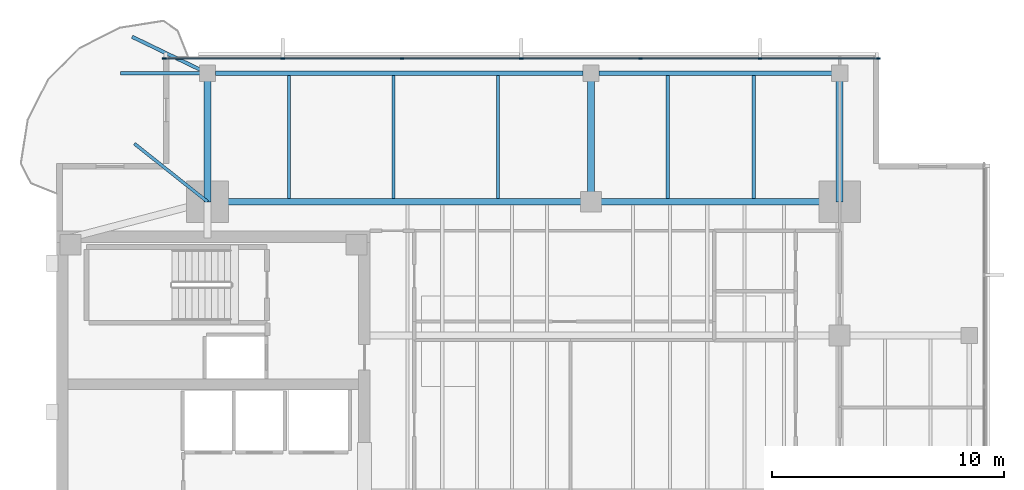
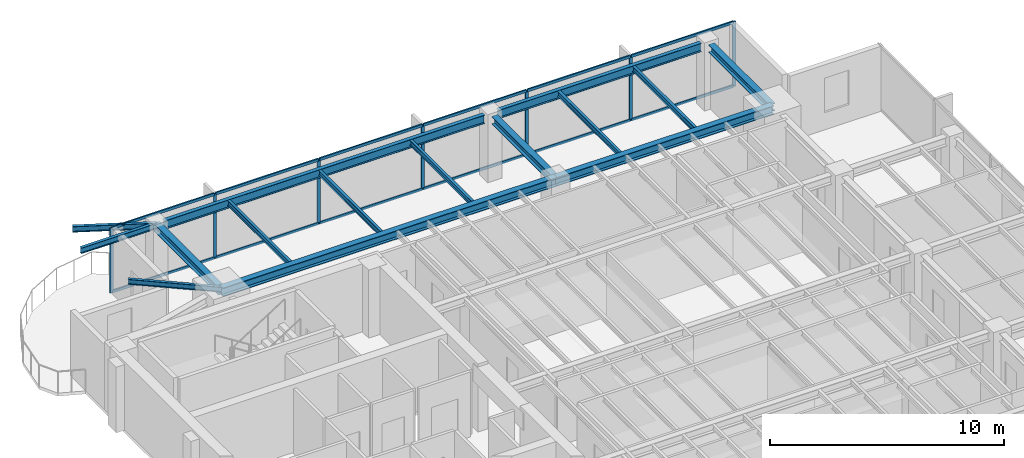
# One storey, part 5 of 14: 19 members, 15 beams, 1 element without a shape of its own.
"""IFC4 building model written with IfcOpenShell, lengths in metres."""

from ifc_helpers import new_model, si_unit, direction, frame, origin, origin_2d, place, context, subcontext, project, spatial, rectangle, i_section, extrude, material, layer, layer_set, material_profile, profile_set, type_object, element, aggregate, save


model = new_model("IFC4")

# Units and contexts
model_context = context("Model", 3, precision=1e-05, world=origin(), true_north=direction((0.0, 1.0)))
body_context = subcontext(model_context, "Body", "Model", "MODEL_VIEW")
ifc_project = project(units=[si_unit("LENGTHUNIT", "METRE"), si_unit("AREAUNIT", "SQUARE_METRE"), si_unit("VOLUMEUNIT", "CUBIC_METRE"), si_unit("PLANEANGLEUNIT", "RADIAN"), si_unit("MASSUNIT", "GRAM", prefix="KILO")], contexts=[model_context])

# Site, building, storey
site_placement = place(None, origin())
site = spatial("IfcSite", under=ifc_project, at=site_placement, CompositionType="ELEMENT")
building_placement = place(site_placement, origin())
building = spatial("IfcBuilding", under=site, at=building_placement, Name="Kinhvarn Gate Tower", CompositionType="ELEMENT")
storey_placement = place(building_placement, frame((0.0, 0.0, 252.800048828125)))
storey = spatial("IfcBuildingStorey", under=building, at=storey_placement, Name="L67", CompositionType="ELEMENT", Elevation=252.800048828125)

# Curtain wall, members
ifc_material_1 = material(Name="Anodised aluminium AW-6063", Category="aluminium")
ifc_layer = layer(ifc_material_1, 0.179931640625)
ifc_layer_set = layer_set([ifc_layer], Name="Anodised aluminium AW-6063")
curtain_wall_type = type_object("IfcCurtainWallType", Name="CW-SYS-3", PredefinedType="NOTDEFINED", material=ifc_layer_set)
curtain_wall_placement = place(storey_placement, origin())
curtain_wall = element("IfcCurtainWall", 1, at=curtain_wall_placement, inside=storey, type_object=curtain_wall_type, Name="Curtain Wall CW3 (L67)", PredefinedType="NOTDEFINED")
ifc_material_profile_1 = material_profile(ifc_material_1, rectangle(XDim=0.06494140625, YDim=0.159912109375, at=origin_2d()), Name="ALU 65x160")
ifc_profile_set_1 = profile_set([ifc_material_profile_1], Name="Anodised aluminium AW-6063")
member_type_1 = type_object("IfcMemberType", Name="CW-MUL-160", PredefinedType="MULLION", material=ifc_profile_set_1)
member_1_placement = place(storey_placement, frame((39.867431640625, 43.909912109375, 0.0), z_axis=(0.0, 0.0, 1.0), x_axis=(0.0, -1.0, 0.0)))
member_1 = element("IfcMember", 2, at=member_1_placement, type_object=member_type_1, Name="CW3 mullion 1", PredefinedType="MULLION", context=body_context, shape_type="SweptSolid", body=[
    extrude(rectangle(XDim=0.06494140625, YDim=0.159912109375, at=origin_2d()), origin(), (0.0, 0.0, 1.0), 3.389892578125),
])
member_2_placement = place(storey_placement, frame((34.7666015625, 43.909912109375, 0.0), z_axis=(0.0, 0.0, 1.0), x_axis=(0.0, -1.0, 0.0)))
member_2 = element("IfcMember", 3, at=member_2_placement, type_object=member_type_1, Name="CW3 mullion 2", PredefinedType="MULLION", context=body_context, shape_type="SweptSolid", body=[
    extrude(rectangle(XDim=0.06494140625, YDim=0.159912109375, at=origin_2d()), origin(), (0.0, 0.0, 1.0), 3.389892578125),
])
member_3_placement = place(storey_placement, frame((29.63330078125, 43.909912109375, 0.0), z_axis=(0.0, 0.0, 1.0), x_axis=(0.0, -1.0, 0.0)))
member_3 = element("IfcMember", 4, at=member_3_placement, type_object=member_type_1, Name="CW3 mullion 3", PredefinedType="MULLION", context=body_context, shape_type="SweptSolid", body=[
    extrude(rectangle(XDim=0.06494140625, YDim=0.159912109375, at=origin_2d()), origin(), (0.0, 0.0, 1.0), 3.389892578125),
])
member_4_placement = place(storey_placement, frame((24.5, 43.909912109375, 0.0), z_axis=(0.0, 0.0, 1.0), x_axis=(0.0, -1.0, 0.0)))
member_4 = element("IfcMember", 5, at=member_4_placement, type_object=member_type_1, Name="CW3 mullion 4", PredefinedType="MULLION", context=body_context, shape_type="SweptSolid", body=[
    extrude(rectangle(XDim=0.06494140625, YDim=0.159912109375, at=origin_2d()), origin(), (0.0, 0.0, 1.0), 3.389892578125),
])
member_5_placement = place(storey_placement, frame((19.36669921875, 43.909912109375, 0.0), z_axis=(0.0, 0.0, 1.0), x_axis=(0.0, -1.0, 0.0)))
member_5 = element("IfcMember", 6, at=member_5_placement, type_object=member_type_1, Name="CW3 mullion 5", PredefinedType="MULLION", context=body_context, shape_type="SweptSolid", body=[
    extrude(rectangle(XDim=0.06494140625, YDim=0.159912109375, at=origin_2d()), origin(), (0.0, 0.0, 1.0), 3.389892578125),
])
member_6_placement = place(storey_placement, frame((14.2333984375, 43.909912109375, 0.0), z_axis=(0.0, 0.0, 1.0), x_axis=(0.0, -1.0, 0.0)))
member_6 = element("IfcMember", 7, at=member_6_placement, type_object=member_type_1, Name="CW3 mullion 6", PredefinedType="MULLION", context=body_context, shape_type="SweptSolid", body=[
    extrude(rectangle(XDim=0.06494140625, YDim=0.159912109375, at=origin_2d()), origin(), (0.0, 0.0, 1.0), 3.389892578125),
])
member_7_placement = place(storey_placement, frame((9.132568359375, 43.909912109375, 0.0), z_axis=(0.0, 0.0, 1.0), x_axis=(0.0, -1.0, 0.0)))
member_7 = element("IfcMember", 8, at=member_7_placement, type_object=member_type_1, Name="CW3 mullion 7", PredefinedType="MULLION", context=body_context, shape_type="SweptSolid", body=[
    extrude(rectangle(XDim=0.06494140625, YDim=0.159912109375, at=origin_2d()), origin(), (0.0, 0.0, 1.0), 3.389892578125),
])
ifc_material_profile_2 = material_profile(ifc_material_1, rectangle(XDim=0.070068359375, YDim=0.139892578125, at=origin_2d()), Name="ALU 70x140")
ifc_profile_set_2 = profile_set([ifc_material_profile_2], Name="Anodised aluminium AW-6063")
member_type_2 = type_object("IfcMemberType", Name="CW-TRN-140", PredefinedType="USERDEFINED", material=ifc_profile_set_2)
member_8_placement = place(storey_placement, frame((39.8349609375, 43.909912109375, 0.034912109375), z_axis=(-1.0, 0.0, 0.0), x_axis=(0.0, -1.0, 0.0)))
member_8 = element("IfcMember", 9, at=member_8_placement, type_object=member_type_2, Name="CW3 transom 1.1", ObjectType="TRANSOM", PredefinedType="USERDEFINED", context=body_context, shape_type="SweptSolid", body=[
    extrude(rectangle(XDim=0.070068359375, YDim=0.139892578125, at=origin_2d()), origin(), (0.0, 0.0, 1.0), 5.035888671875),
])
member_9_placement = place(storey_placement, frame((39.8349609375, 43.909912109375, 3.35498046875), z_axis=(-1.0, 0.0, 0.0), x_axis=(0.0, -1.0, 0.0)))
member_9 = element("IfcMember", 10, at=member_9_placement, type_object=member_type_2, Name="CW3 transom 1.2", ObjectType="TRANSOM", PredefinedType="USERDEFINED", context=body_context, shape_type="SweptSolid", body=[
    extrude(rectangle(XDim=0.070068359375, YDim=0.139892578125, at=origin_2d()), origin(), (0.0, 0.0, 1.0), 5.035888671875),
])
member_10_placement = place(storey_placement, frame((34.734130859375, 43.909912109375, 0.034912109375), z_axis=(-1.0, 0.0, 0.0), x_axis=(0.0, -1.0, 0.0)))
member_10 = element("IfcMember", 11, at=member_10_placement, type_object=member_type_2, Name="CW3 transom 2.1", ObjectType="TRANSOM", PredefinedType="USERDEFINED", context=body_context, shape_type="SweptSolid", body=[
    extrude(rectangle(XDim=0.070068359375, YDim=0.139892578125, at=origin_2d()), origin(), (0.0, 0.0, 1.0), 5.068359375),
])
member_11_placement = place(storey_placement, frame((34.734130859375, 43.909912109375, 3.35498046875), z_axis=(-1.0, 0.0, 0.0), x_axis=(0.0, -1.0, 0.0)))
member_11 = element("IfcMember", 12, at=member_11_placement, type_object=member_type_2, Name="CW3 transom 2.2", ObjectType="TRANSOM", PredefinedType="USERDEFINED", context=body_context, shape_type="SweptSolid", body=[
    extrude(rectangle(XDim=0.070068359375, YDim=0.139892578125, at=origin_2d()), origin(), (0.0, 0.0, 1.0), 5.068359375),
])
member_12_placement = place(storey_placement, frame((29.600830078125, 43.909912109375, 0.034912109375), z_axis=(-1.0, 0.0, 0.0), x_axis=(0.0, -1.0, 0.0)))
member_12 = element("IfcMember", 13, at=member_12_placement, type_object=member_type_2, Name="CW3 transom 3.1", ObjectType="TRANSOM", PredefinedType="USERDEFINED", context=body_context, shape_type="SweptSolid", body=[
    extrude(rectangle(XDim=0.070068359375, YDim=0.139892578125, at=origin_2d()), origin(), (0.0, 0.0, 1.0), 5.068359375),
])
member_13_placement = place(storey_placement, frame((29.600830078125, 43.909912109375, 3.35498046875), z_axis=(-1.0, 0.0, 0.0), x_axis=(0.0, -1.0, 0.0)))
member_13 = element("IfcMember", 14, at=member_13_placement, type_object=member_type_2, Name="CW3 transom 3.2", ObjectType="TRANSOM", PredefinedType="USERDEFINED", context=body_context, shape_type="SweptSolid", body=[
    extrude(rectangle(XDim=0.070068359375, YDim=0.139892578125, at=origin_2d()), origin(), (0.0, 0.0, 1.0), 5.068359375),
])
member_14_placement = place(storey_placement, frame((24.467529296875, 43.909912109375, 0.034912109375), z_axis=(-1.0, 0.0, 0.0), x_axis=(0.0, -1.0, 0.0)))
member_14 = element("IfcMember", 15, at=member_14_placement, type_object=member_type_2, Name="CW3 transom 4.1", ObjectType="TRANSOM", PredefinedType="USERDEFINED", context=body_context, shape_type="SweptSolid", body=[
    extrude(rectangle(XDim=0.070068359375, YDim=0.139892578125, at=origin_2d()), origin(), (0.0, 0.0, 1.0), 5.068359375),
])
member_15_placement = place(storey_placement, frame((24.467529296875, 43.909912109375, 3.35498046875), z_axis=(-1.0, 0.0, 0.0), x_axis=(0.0, -1.0, 0.0)))
member_15 = element("IfcMember", 16, at=member_15_placement, type_object=member_type_2, Name="CW3 transom 4.2", ObjectType="TRANSOM", PredefinedType="USERDEFINED", context=body_context, shape_type="SweptSolid", body=[
    extrude(rectangle(XDim=0.070068359375, YDim=0.139892578125, at=origin_2d()), origin(), (0.0, 0.0, 1.0), 5.068359375),
])
member_16_placement = place(storey_placement, frame((19.334228515625, 43.909912109375, 0.034912109375), z_axis=(-1.0, 0.0, 0.0), x_axis=(0.0, -1.0, 0.0)))
member_16 = element("IfcMember", 17, at=member_16_placement, type_object=member_type_2, Name="CW3 transom 5.1", ObjectType="TRANSOM", PredefinedType="USERDEFINED", context=body_context, shape_type="SweptSolid", body=[
    extrude(rectangle(XDim=0.070068359375, YDim=0.139892578125, at=origin_2d()), origin(), (0.0, 0.0, 1.0), 5.068359375),
])
member_17_placement = place(storey_placement, frame((19.334228515625, 43.909912109375, 3.35498046875), z_axis=(-1.0, 0.0, 0.0), x_axis=(0.0, -1.0, 0.0)))
member_17 = element("IfcMember", 18, at=member_17_placement, type_object=member_type_2, Name="CW3 transom 5.2", ObjectType="TRANSOM", PredefinedType="USERDEFINED", context=body_context, shape_type="SweptSolid", body=[
    extrude(rectangle(XDim=0.070068359375, YDim=0.139892578125, at=origin_2d()), origin(), (0.0, 0.0, 1.0), 5.068359375),
])
member_18_placement = place(storey_placement, frame((14.200927734375, 43.909912109375, 0.034912109375), z_axis=(-1.0, 0.0, 0.0), x_axis=(0.0, -1.0, 0.0)))
member_18 = element("IfcMember", 19, at=member_18_placement, type_object=member_type_2, Name="CW3 transom 6.1", ObjectType="TRANSOM", PredefinedType="USERDEFINED", context=body_context, shape_type="SweptSolid", body=[
    extrude(rectangle(XDim=0.070068359375, YDim=0.139892578125, at=origin_2d()), origin(), (0.0, 0.0, 1.0), 5.035888671875),
])
member_19_placement = place(storey_placement, frame((14.200927734375, 43.909912109375, 3.35498046875), z_axis=(-1.0, 0.0, 0.0), x_axis=(0.0, -1.0, 0.0)))
member_19 = element("IfcMember", 20, at=member_19_placement, type_object=member_type_2, Name="CW3 transom 6.2", ObjectType="TRANSOM", PredefinedType="USERDEFINED", context=body_context, shape_type="SweptSolid", body=[
    extrude(rectangle(XDim=0.070068359375, YDim=0.139892578125, at=origin_2d()), origin(), (0.0, 0.0, 1.0), 5.035888671875),
])
aggregate(curtain_wall, [member_1, member_2, member_3, member_4, member_5, member_6, member_7, member_8, member_9, member_10, member_11, member_12, member_13, member_14, member_15, member_16, member_17, member_18, member_19])

# Beams
ifc_material_2 = material(Name="Steel S355", Category="steel")
ifc_material_profile_3 = material_profile(ifc_material_2, i_section(OverallWidth=0.300048828125, OverallDepth=0.39990234375, WebThickness=0.013427734375, FlangeThickness=0.02392578125, at=origin_2d()), Name="HEB 400")
ifc_profile_set_3 = profile_set([ifc_material_profile_3], Name="Steel S355")
beam_type_1 = type_object("IfcBeamType", Name="STL-HEB400", PredefinedType="BEAM", material=ifc_profile_set_3)
beam_1_placement = place(storey_placement, frame((11.0, 37.75, 3.18994140625), z_axis=(0.0, 1.0, 0.0), x_axis=(-1.0, 0.0, 0.0)))
element("IfcBeam", 21, at=beam_1_placement, inside=storey, type_object=beam_type_1, Name="Floor Beam PG-12 (L67 MCW-N)", PredefinedType="BEAM", context=body_context, shape_type="SweptSolid", body=[
    extrude(i_section(OverallWidth=0.300048828125, OverallDepth=0.39990234375, WebThickness=0.013427734375, FlangeThickness=0.02392578125, at=origin_2d()), origin(), (0.0, 0.0, 1.0), 5.530029296875),
])
for number, where, z_axis, x_axis, name in (
    (22, (27.5, 37.75, 3.18994140625), (0.0, 1.0, 0.0), (-1.0, 0.0, 0.0), "Floor Beam PG-12 (L67 SP27-N-TIE)"),
    (23, (38.199951171875, 37.75, 3.18994140625), (0.0, 1.0, 0.0), (-1.0, 0.0, 0.0), "Floor Beam PG-12 (L67 MCE-N)"),
):
    element("IfcBeam", number, at=place(storey_placement, frame(where, z_axis=z_axis, x_axis=x_axis)), inside=storey, type_object=beam_type_1, Name=name, PredefinedType="BEAM", context=body_context, shape_type="SweptSolid", body=[
        extrude(i_section(OverallWidth=0.300048828125, OverallDepth=0.39990234375, WebThickness=0.013427734375, FlangeThickness=0.02392578125, at=origin_2d()), origin(), (0.0, 0.0, 1.0), 5.195068359375),
    ])
ifc_material_profile_4 = material_profile(ifc_material_2, i_section(OverallWidth=0.300048828125, OverallDepth=0.449951171875, WebThickness=0.013916015625, FlangeThickness=0.02587890625, at=origin_2d()), Name="HEB 450")
ifc_profile_set_4 = profile_set([ifc_material_profile_4], Name="Steel S355")
beam_type_2 = type_object("IfcBeamType", Name="STL-HEB450", PredefinedType="BEAM", material=ifc_profile_set_4)
beam_2_placement = place(storey_placement, frame((11.0, 37.75, 3.1650390625), z_axis=(1.0, 0.0, 0.0), x_axis=(0.0, 1.0, 0.0)))
element("IfcBeam", 24, at=beam_2_placement, inside=storey, type_object=beam_type_2, Name="Floor Beam PG-13 (L67 MG-N1)", PredefinedType="BEAM", context=body_context, shape_type="SweptSolid", body=[
    extrude(i_section(OverallWidth=0.300048828125, OverallDepth=0.449951171875, WebThickness=0.013916015625, FlangeThickness=0.02587890625, at=origin_2d()), origin(), (0.0, 0.0, 1.0), 16.5),
])
beam_3_placement = place(storey_placement, frame((27.5, 37.75, 3.1650390625), z_axis=(1.0, 0.0, 0.0), x_axis=(0.0, 1.0, 0.0)))
element("IfcBeam", 25, at=beam_3_placement, inside=storey, type_object=beam_type_2, Name="Floor Beam PG-13 (L67 MG-N2)", PredefinedType="BEAM", context=body_context, shape_type="SweptSolid", body=[
    extrude(i_section(OverallWidth=0.300048828125, OverallDepth=0.449951171875, WebThickness=0.013916015625, FlangeThickness=0.02587890625, at=origin_2d()), origin(), (0.0, 0.0, 1.0), 10.699951171875),
])
ifc_material_profile_5 = material_profile(ifc_material_2, i_section(OverallWidth=0.135009765625, OverallDepth=0.27001953125, WebThickness=0.006591796875, FlangeThickness=0.01025390625, at=origin_2d()), Name="IPE 270")
ifc_profile_set_5 = profile_set([ifc_material_profile_5], Name="Steel S355")
beam_type_3 = type_object("IfcBeamType", Name="STL-IPE270", PredefinedType="JOIST", material=ifc_profile_set_5)
for number, where, z_axis, x_axis, name in (
    (26, (14.5, 37.89990234375, 3.2548828125), (0.0, 1.0, 0.0), (-1.0, 0.0, 0.0), "Floor Joist SB-01 (L67 JN-X145)"),
    (27, (19.0, 37.89990234375, 3.2548828125), (0.0, 1.0, 0.0), (-1.0, 0.0, 0.0), "Floor Joist SB-01 (L67 JN-X190)"),
    (28, (23.5, 37.89990234375, 3.2548828125), (0.0, 1.0, 0.0), (-1.0, 0.0, 0.0), "Floor Joist SB-01 (L67 JN-X235)"),
    (29, (30.800048828125, 37.89990234375, 3.2548828125), (0.0, 1.0, 0.0), (-1.0, 0.0, 0.0), "Floor Joist SB-01 (L67 JN-X308)"),
    (30, (34.5, 37.89990234375, 3.2548828125), (0.0, 1.0, 0.0), (-1.0, 0.0, 0.0), "Floor Joist SB-01 (L67 JN-X345)"),
):
    element("IfcBeam", number, at=place(storey_placement, frame(where, z_axis=z_axis, x_axis=x_axis)), inside=storey, type_object=beam_type_3, Name=name, PredefinedType="JOIST", context=body_context, shape_type="SweptSolid", body=[
        extrude(i_section(OverallWidth=0.135009765625, OverallDepth=0.27001953125, WebThickness=0.006591796875, FlangeThickness=0.01025390625, at=origin_2d()), origin(), (0.0, 0.0, 1.0), 5.28515625),
    ])
beam_4_placement = place(storey_placement, frame((11.0, 37.75, 3.2548828125), z_axis=(-0.783279518214, 0.621669684275, 0.0), x_axis=(-0.621669684275, -0.783279518214, 0.0)))
element("IfcBeam", 31, at=beam_4_placement, inside=storey, type_object=beam_type_3, Name="Floor Joist SB-01 (L67 BAL-B3-L68)", PredefinedType="JOIST", context=body_context, shape_type="SweptSolid", body=[
    extrude(i_section(OverallWidth=0.135009765625, OverallDepth=0.27001953125, WebThickness=0.006591796875, FlangeThickness=0.01025390625, at=origin_2d()), origin(), (0.0, 0.0, 1.0), 4.021484375),
])
ifc_material_profile_6 = material_profile(ifc_material_2, i_section(OverallWidth=0.14990234375, OverallDepth=0.300048828125, WebThickness=0.007080078125, FlangeThickness=0.0107421875, at=origin_2d()), Name="IPE 300")
ifc_profile_set_6 = profile_set([ifc_material_profile_6], Name="Steel S355")
beam_type_4 = type_object("IfcBeamType", Name="STL-IPE300", PredefinedType="JOIST", material=ifc_profile_set_6)
beam_5_placement = place(storey_placement, frame((11.0, 43.280029296875, 3.239990234375), z_axis=(-1.0, 0.0, 0.0), x_axis=(0.0, -1.0, 0.0)))
element("IfcBeam", 32, at=beam_5_placement, inside=storey, type_object=beam_type_4, Name="Floor Joist SB-02 (L67 BAL-B1-L68)", PredefinedType="JOIST", context=body_context, shape_type="SweptSolid", body=[
    extrude(i_section(OverallWidth=0.14990234375, OverallDepth=0.300048828125, WebThickness=0.007080078125, FlangeThickness=0.0107421875, at=origin_2d()), origin(), (0.0, 0.0, 1.0), 3.75),
])
beam_6_placement = place(storey_placement, frame((11.0, 43.280029296875, 3.239990234375), z_axis=(-0.900431975558, 0.434996847567, 0.0), x_axis=(-0.434996847567, -0.900431975558, 0.0)))
element("IfcBeam", 33, at=beam_6_placement, inside=storey, type_object=beam_type_4, Name="Floor Joist SB-02 (L67 BAL-B2-L68)", PredefinedType="JOIST", context=body_context, shape_type="SweptSolid", body=[
    extrude(i_section(OverallWidth=0.14990234375, OverallDepth=0.300048828125, WebThickness=0.007080078125, FlangeThickness=0.0107421875, at=origin_2d()), origin(), (0.0, 0.0, 1.0), 3.609375),
])
ifc_material_profile_7 = material_profile(ifc_material_2, i_section(OverallWidth=0.18994140625, OverallDepth=0.449951171875, WebThickness=0.009521484375, FlangeThickness=0.0146484375, at=origin_2d()), Name="IPE 450")
ifc_profile_set_7 = profile_set([ifc_material_profile_7], Name="Steel S355")
beam_type_5 = type_object("IfcBeamType", Name="STL-IPE450", PredefinedType="JOIST", material=ifc_profile_set_7)
beam_7_placement = place(storey_placement, frame((11.3349609375, 43.280029296875, 3.1650390625), z_axis=(1.0, 0.0, 0.0), x_axis=(0.0, 1.0, 0.0)))
element("IfcBeam", 34, at=beam_7_placement, inside=storey, type_object=beam_type_5, Name="Floor Joist SB-06 (L67 SP-N1)", PredefinedType="JOIST", context=body_context, shape_type="SweptSolid", body=[
    extrude(i_section(OverallWidth=0.18994140625, OverallDepth=0.449951171875, WebThickness=0.009521484375, FlangeThickness=0.0146484375, at=origin_2d()), origin(), (0.0, 0.0, 1.0), 15.830078125),
])
beam_8_placement = place(storey_placement, frame((27.8349609375, 43.280029296875, 3.1650390625), z_axis=(1.0, 0.0, 0.0), x_axis=(0.0, 1.0, 0.0)))
element("IfcBeam", 35, at=beam_8_placement, inside=storey, type_object=beam_type_5, Name="Floor Joist SB-06 (L67 SP-N2)", PredefinedType="JOIST", context=body_context, shape_type="SweptSolid", body=[
    extrude(i_section(OverallWidth=0.18994140625, OverallDepth=0.449951171875, WebThickness=0.009521484375, FlangeThickness=0.0146484375, at=origin_2d()), origin(), (0.0, 0.0, 1.0), 10.030029296875),
])

save(model, "model.ifc")
